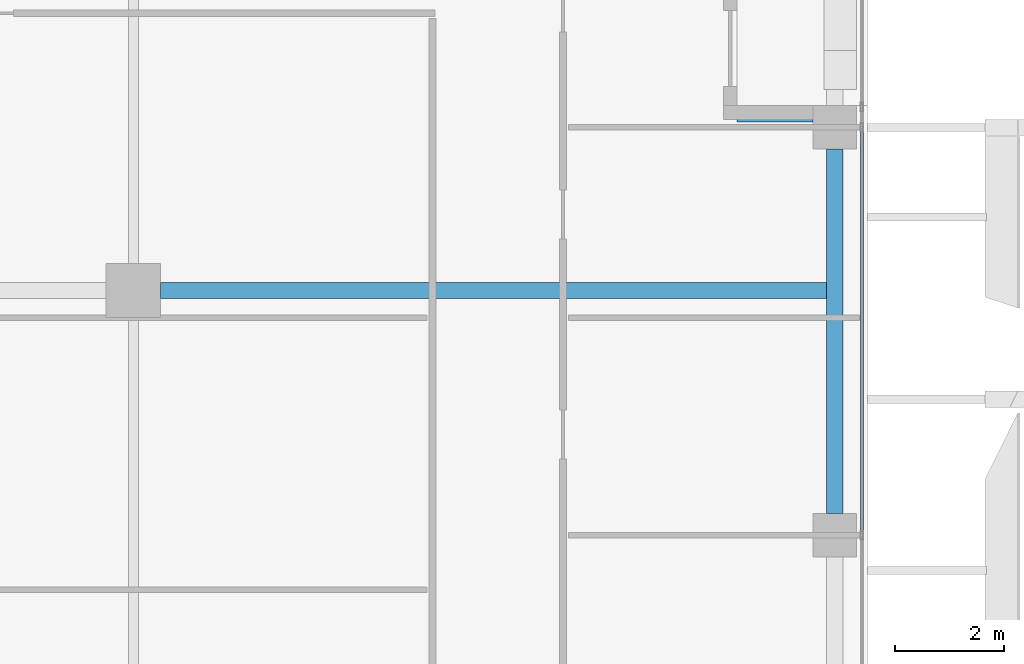
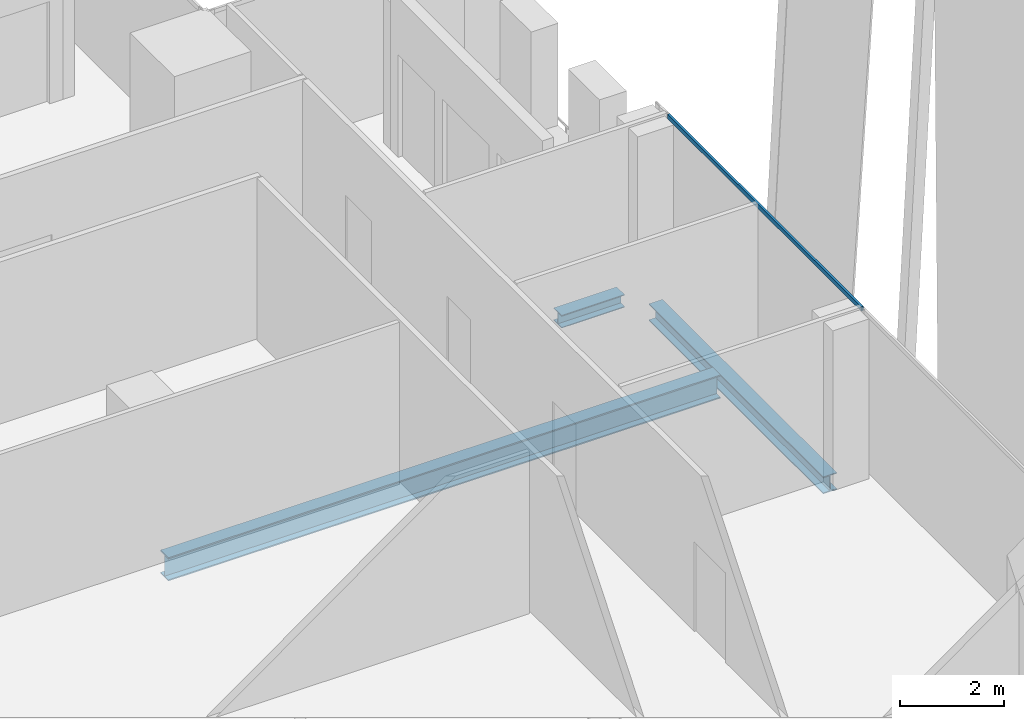
# One storey, part 11 of 32: 3 beams, 1 member, 1 element without a shape of its own.
"""IFC4 building model written with IfcOpenShell, lengths in metres."""

from ifc_helpers import new_model, si_unit, direction, frame, origin, origin_2d, place, context, subcontext, project, spatial, hollow_rectangle, i_section, extrude, source, transform, mapped, material, material_profile, profile_set, type_object, element, aggregate, save


model = new_model("IFC4")

# Units and contexts
model_context = context("Model", 3, precision=1e-05, world=origin(), true_north=direction((0.0, 1.0)))
body_context = subcontext(model_context, "Body", "Model", "MODEL_VIEW")
ifc_project = project(units=[si_unit("LENGTHUNIT", "METRE"), si_unit("AREAUNIT", "SQUARE_METRE"), si_unit("VOLUMEUNIT", "CUBIC_METRE"), si_unit("PLANEANGLEUNIT", "RADIAN"), si_unit("MASSUNIT", "GRAM", prefix="KILO")], contexts=[model_context])

# Site, building, storey
site_placement = place(None, origin())
site = spatial("IfcSite", under=ifc_project, at=site_placement, CompositionType="ELEMENT")
building_placement = place(site_placement, origin())
building = spatial("IfcBuilding", under=site, at=building_placement, Name="Khomas Fold Tower", CompositionType="ELEMENT")
storey_placement = place(building_placement, frame((0.0, 0.0, 306.199951171875)))
storey = spatial("IfcBuildingStorey", under=building, at=storey_placement, Name="L69", CompositionType="ELEMENT", Elevation=306.199951171875)

# Beams
ifc_material_1 = material(Name="Steel S355", Category="steel")
ifc_material_profile_1 = material_profile(ifc_material_1, i_section(OverallWidth=0.300048828125, OverallDepth=0.39990234375, WebThickness=0.013427734375, FlangeThickness=0.02392578125, at=origin_2d()), Name="HE 400 B")
ifc_profile_set_1 = profile_set([ifc_material_profile_1], Name="Steel S355")
beam_type_1 = type_object("IfcBeamType", Name="HE 400 B spandrel SB5", PredefinedType="SPANDREL", material=ifc_profile_set_1)
shared_shape_1 = source(origin(), body_context, "Body", "SweptSolid", [
    extrude(i_section(OverallWidth=0.300048828125, OverallDepth=0.39990234375, WebThickness=0.013427734375, FlangeThickness=0.02392578125, at=origin_2d()), origin(), (0.0, 0.0, 1.0), 6.7001953125),
])
beam_1_placement = place(storey_placement, frame((47.39990234375, 27.39990234375, -0.449951171875), z_axis=(0.0, 1.0, 0.0), x_axis=(-1.0, 0.0, 0.0)))
element("IfcBeam", 1, at=beam_1_placement, inside=storey, type_object=beam_type_1, Name="SB5", PredefinedType="SPANDREL", context=body_context, shape_type="MappedRepresentation", body=[
    mapped(shared_shape_1, transform((0.0, 0.0, 0.0))),
])
ifc_material_2 = material(Name="Steel S355", Category="steel")
ifc_material_profile_2 = material_profile(ifc_material_2, i_section(OverallWidth=0.300048828125, OverallDepth=0.550048828125, WebThickness=0.014892578125, FlangeThickness=0.029052734375, at=origin_2d()), Name="HE 550 B")
ifc_profile_set_2 = profile_set([ifc_material_profile_2], Name="Steel S355")
beam_type_2 = type_object("IfcBeamType", Name="HE 550 B beam GB4", PredefinedType="BEAM", material=ifc_profile_set_2)
shared_shape_2 = source(origin(), body_context, "Body", "SweptSolid", [
    extrude(i_section(OverallWidth=0.300048828125, OverallDepth=0.550048828125, WebThickness=0.014892578125, FlangeThickness=0.029052734375, at=origin_2d()), origin(), (0.0, 0.0, 1.0), 12.25),
])
beam_2_placement = place(storey_placement, frame((35.0, 31.5, -0.52490234375), z_axis=(1.0, 0.0, 0.0), x_axis=(0.0, 1.0, 0.0)))
element("IfcBeam", 2, at=beam_2_placement, inside=storey, type_object=beam_type_2, Name="GB4", PredefinedType="BEAM", context=body_context, shape_type="MappedRepresentation", body=[
    mapped(shared_shape_2, transform((0.0, 0.0, 0.0))),
])
ifc_material_3 = material(Name="Steel S355", Category="steel")
ifc_material_profile_3 = material_profile(ifc_material_3, i_section(OverallWidth=0.300048828125, OverallDepth=0.300048828125, WebThickness=0.010986328125, FlangeThickness=0.01904296875, at=origin_2d()), Name="HE 300 B")
ifc_profile_set_3 = profile_set([ifc_material_profile_3], Name="Steel S355")
beam_type_3 = type_object("IfcBeamType", Name="HE 300 B beam BB1", PredefinedType="BEAM", material=ifc_profile_set_3)
shared_shape_3 = source(origin(), body_context, "Body", "SweptSolid", [
    extrude(i_section(OverallWidth=0.300048828125, OverallDepth=0.300048828125, WebThickness=0.010986328125, FlangeThickness=0.01904296875, at=origin_2d()), origin(), (0.0, 0.0, 1.0), 1.39990234375),
])
beam_3_placement = place(storey_placement, frame((45.60009765625, 34.75, -0.39990234375), z_axis=(1.0, 0.0, 0.0), x_axis=(0.0, 1.0, 0.0)))
element("IfcBeam", 3, at=beam_3_placement, inside=storey, type_object=beam_type_3, Name="BB1", PredefinedType="BEAM", context=body_context, shape_type="MappedRepresentation", body=[
    mapped(shared_shape_3, transform((0.0, 0.0, 0.0))),
])

# Curtain wall, member
ifc_material_4 = material(Name="Aluminium framed double glazing", Category="aluminium")
curtain_wall_type = type_object("IfcCurtainWallType", Name="SK-Unitised clear-glass wall, upper floors CW3", PredefinedType="NOTDEFINED", material=ifc_material_4)
curtain_wall_placement = place(storey_placement, origin())
curtain_wall = element("IfcCurtainWall", 4, at=curtain_wall_placement, inside=storey, type_object=curtain_wall_type, Name="CW3 run L69 03-0", PredefinedType="NOTDEFINED")
ifc_material_5 = material(Name="Aluminium", Category="aluminium")
ifc_material_profile_4 = material_profile(ifc_material_5, hollow_rectangle(XDim=0.050048828125, YDim=0.10009765625, WallThickness=0.00390625, at=origin_2d()), Name="SK-Unitised clear-glass wall, upper floors transom CW3-T")
ifc_profile_set_4 = profile_set([ifc_material_profile_4], Name="Aluminium")
member_type = type_object("IfcMemberType", Name="SK-Unitised clear-glass wall, upper floors transom CW3-T", PredefinedType="USERDEFINED", material=ifc_profile_set_4)
shared_shape_4 = source(origin(), body_context, "Body", "SweptSolid", [
    extrude(hollow_rectangle(XDim=0.050048828125, YDim=0.10009765625, WallThickness=0.00390625, at=origin_2d()), origin(), (0.0, 0.0, 1.0), 7.4501953125),
])
member_placement = place(storey_placement, frame((47.89990234375, 27.02490234375, 3.699951171875), z_axis=(0.0, 1.0, 0.0), x_axis=(-1.0, 0.0, 0.0)))
member = element("IfcMember", 5, at=member_placement, type_object=member_type, Name="CW3 transom 4", ObjectType="TRANSOM", PredefinedType="USERDEFINED", context=body_context, shape_type="MappedRepresentation", body=[
    mapped(shared_shape_4, transform((0.0, 0.0, 0.0))),
])
aggregate(curtain_wall, [member])

save(model, "model.ifc")
